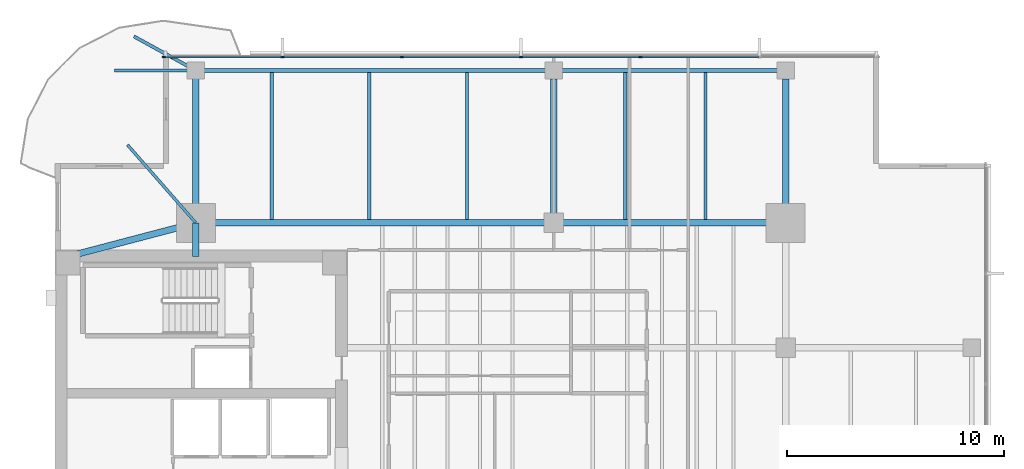
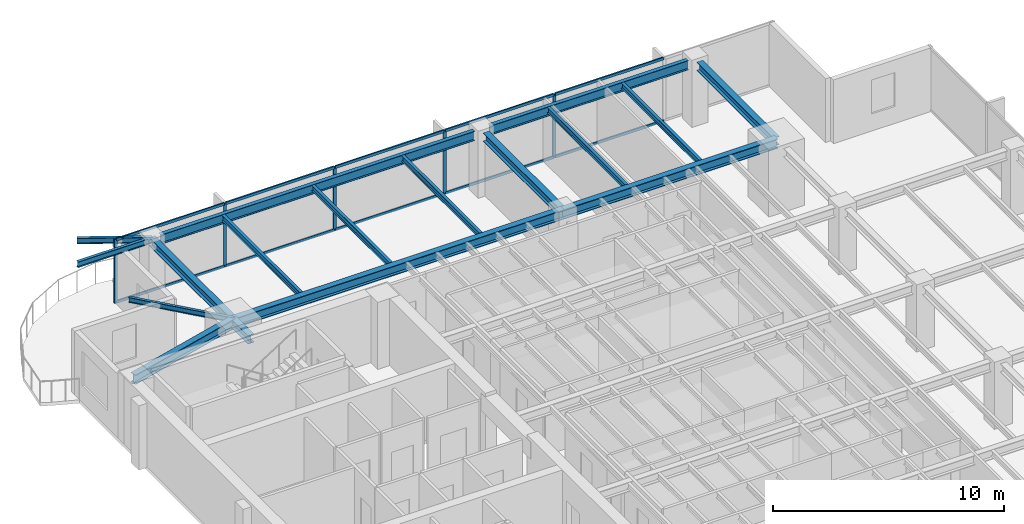
# One storey, part 5 of 15: 17 beams, 15 members, 1 element without a shape of its own.
"""IFC4 building model written with IfcOpenShell, lengths in metres."""

from ifc_helpers import new_model, si_unit, direction, frame, origin, origin_2d, place, context, subcontext, project, spatial, rectangle, i_section, extrude, material, layer, layer_set, material_profile, profile_set, type_object, element, aggregate, save


model = new_model("IFC4")

# Units and contexts
model_context = context("Model", 3, precision=1e-05, world=origin(), true_north=direction((0.0, 1.0)))
body_context = subcontext(model_context, "Body", "Model", "MODEL_VIEW")
ifc_project = project(units=[si_unit("LENGTHUNIT", "METRE"), si_unit("AREAUNIT", "SQUARE_METRE"), si_unit("VOLUMEUNIT", "CUBIC_METRE"), si_unit("PLANEANGLEUNIT", "RADIAN"), si_unit("MASSUNIT", "GRAM", prefix="KILO")], contexts=[model_context])

# Site, building, storey
site_placement = place(None, origin())
site = spatial("IfcSite", under=ifc_project, at=site_placement, CompositionType="ELEMENT")
building_placement = place(site_placement, origin())
building = spatial("IfcBuilding", under=site, at=building_placement, Name="Kinhvarn Gate Tower", CompositionType="ELEMENT")
storey_placement = place(building_placement, frame((0.0, 0.0, 220.0)))
storey = spatial("IfcBuildingStorey", under=building, at=storey_placement, Name="L58", CompositionType="ELEMENT", Elevation=220.0)

# Curtain wall, members
ifc_material_1 = material(Name="Anodised aluminium AW-6063", Category="aluminium")
ifc_layer = layer(ifc_material_1, 0.179931640625)
ifc_layer_set = layer_set([ifc_layer], Name="Anodised aluminium AW-6063")
curtain_wall_type = type_object("IfcCurtainWallType", Name="CW-SYS-3", PredefinedType="NOTDEFINED", material=ifc_layer_set)
curtain_wall_placement = place(storey_placement, origin())
curtain_wall = element("IfcCurtainWall", 1, at=curtain_wall_placement, inside=storey, type_object=curtain_wall_type, Name="Curtain Wall CW3 (L58)", PredefinedType="NOTDEFINED")
ifc_material_profile_1 = material_profile(ifc_material_1, rectangle(XDim=0.06494140625, YDim=0.159912109375, at=origin_2d()), Name="ALU 65x160")
ifc_profile_set_1 = profile_set([ifc_material_profile_1], Name="Anodised aluminium AW-6063")
member_type_1 = type_object("IfcMemberType", Name="CW-MUL-160", PredefinedType="MULLION", material=ifc_profile_set_1)
member_1_placement = place(storey_placement, frame((31.5, 45.409912109375, 0.0), z_axis=(0.0, 0.0, 1.0), x_axis=(0.0, -1.0, 0.0)))
member_1 = element("IfcMember", 2, at=member_1_placement, type_object=member_type_1, Name="CW3 mullion 3", PredefinedType="MULLION", context=body_context, shape_type="SweptSolid", body=[
    extrude(rectangle(XDim=0.06494140625, YDim=0.159912109375, at=origin_2d()), origin(), (0.0, 0.0, 1.0), 3.3701171875),
])
member_2_placement = place(storey_placement, frame((26.0, 45.409912109375, 0.0), z_axis=(0.0, 0.0, 1.0), x_axis=(0.0, -1.0, 0.0)))
member_2 = element("IfcMember", 3, at=member_2_placement, type_object=member_type_1, Name="CW3 mullion 4", PredefinedType="MULLION", context=body_context, shape_type="SweptSolid", body=[
    extrude(rectangle(XDim=0.06494140625, YDim=0.159912109375, at=origin_2d()), origin(), (0.0, 0.0, 1.0), 3.3701171875),
])
member_3_placement = place(storey_placement, frame((20.5, 45.409912109375, 0.0), z_axis=(0.0, 0.0, 1.0), x_axis=(0.0, -1.0, 0.0)))
member_3 = element("IfcMember", 4, at=member_3_placement, type_object=member_type_1, Name="CW3 mullion 5", PredefinedType="MULLION", context=body_context, shape_type="SweptSolid", body=[
    extrude(rectangle(XDim=0.06494140625, YDim=0.159912109375, at=origin_2d()), origin(), (0.0, 0.0, 1.0), 3.3701171875),
])
member_4_placement = place(storey_placement, frame((15.0, 45.409912109375, 0.0), z_axis=(0.0, 0.0, 1.0), x_axis=(0.0, -1.0, 0.0)))
member_4 = element("IfcMember", 5, at=member_4_placement, type_object=member_type_1, Name="CW3 mullion 6", PredefinedType="MULLION", context=body_context, shape_type="SweptSolid", body=[
    extrude(rectangle(XDim=0.06494140625, YDim=0.159912109375, at=origin_2d()), origin(), (0.0, 0.0, 1.0), 3.3701171875),
])
member_5_placement = place(storey_placement, frame((9.532470703125, 45.409912109375, 0.0), z_axis=(0.0, 0.0, 1.0), x_axis=(0.0, -1.0, 0.0)))
member_5 = element("IfcMember", 6, at=member_5_placement, type_object=member_type_1, Name="CW3 mullion 7", PredefinedType="MULLION", context=body_context, shape_type="SweptSolid", body=[
    extrude(rectangle(XDim=0.06494140625, YDim=0.159912109375, at=origin_2d()), origin(), (0.0, 0.0, 1.0), 3.3701171875),
])
ifc_material_profile_2 = material_profile(ifc_material_1, rectangle(XDim=0.070068359375, YDim=0.139892578125, at=origin_2d()), Name="ALU 70x140")
ifc_profile_set_2 = profile_set([ifc_material_profile_2], Name="Anodised aluminium AW-6063")
member_type_2 = type_object("IfcMemberType", Name="CW-TRN-140", PredefinedType="USERDEFINED", material=ifc_profile_set_2)
member_6_placement = place(storey_placement, frame((36.967529296875, 45.409912109375, 0.034912109375), z_axis=(-1.0, 0.0, 0.0), x_axis=(0.0, -1.0, 0.0)))
member_6 = element("IfcMember", 7, at=member_6_placement, type_object=member_type_2, Name="CW3 transom 2.1", ObjectType="TRANSOM", PredefinedType="USERDEFINED", context=body_context, shape_type="SweptSolid", body=[
    extrude(rectangle(XDim=0.070068359375, YDim=0.139892578125, at=origin_2d()), origin(), (0.0, 0.0, 1.0), 5.43505859375),
])
member_7_placement = place(storey_placement, frame((36.967529296875, 45.409912109375, 3.3349609375), z_axis=(-1.0, 0.0, 0.0), x_axis=(0.0, -1.0, 0.0)))
member_7 = element("IfcMember", 8, at=member_7_placement, type_object=member_type_2, Name="CW3 transom 2.2", ObjectType="TRANSOM", PredefinedType="USERDEFINED", context=body_context, shape_type="SweptSolid", body=[
    extrude(rectangle(XDim=0.070068359375, YDim=0.139892578125, at=origin_2d()), origin(), (0.0, 0.0, 1.0), 5.43505859375),
])
member_8_placement = place(storey_placement, frame((31.467529296875, 45.409912109375, 0.034912109375), z_axis=(-1.0, 0.0, 0.0), x_axis=(0.0, -1.0, 0.0)))
member_8 = element("IfcMember", 9, at=member_8_placement, type_object=member_type_2, Name="CW3 transom 3.1", ObjectType="TRANSOM", PredefinedType="USERDEFINED", context=body_context, shape_type="SweptSolid", body=[
    extrude(rectangle(XDim=0.070068359375, YDim=0.139892578125, at=origin_2d()), origin(), (0.0, 0.0, 1.0), 5.43505859375),
])
member_9_placement = place(storey_placement, frame((31.467529296875, 45.409912109375, 3.3349609375), z_axis=(-1.0, 0.0, 0.0), x_axis=(0.0, -1.0, 0.0)))
member_9 = element("IfcMember", 10, at=member_9_placement, type_object=member_type_2, Name="CW3 transom 3.2", ObjectType="TRANSOM", PredefinedType="USERDEFINED", context=body_context, shape_type="SweptSolid", body=[
    extrude(rectangle(XDim=0.070068359375, YDim=0.139892578125, at=origin_2d()), origin(), (0.0, 0.0, 1.0), 5.43505859375),
])
member_10_placement = place(storey_placement, frame((25.967529296875, 45.409912109375, 0.034912109375), z_axis=(-1.0, 0.0, 0.0), x_axis=(0.0, -1.0, 0.0)))
member_10 = element("IfcMember", 11, at=member_10_placement, type_object=member_type_2, Name="CW3 transom 4.1", ObjectType="TRANSOM", PredefinedType="USERDEFINED", context=body_context, shape_type="SweptSolid", body=[
    extrude(rectangle(XDim=0.070068359375, YDim=0.139892578125, at=origin_2d()), origin(), (0.0, 0.0, 1.0), 5.43505859375),
])
member_11_placement = place(storey_placement, frame((25.967529296875, 45.409912109375, 3.3349609375), z_axis=(-1.0, 0.0, 0.0), x_axis=(0.0, -1.0, 0.0)))
member_11 = element("IfcMember", 12, at=member_11_placement, type_object=member_type_2, Name="CW3 transom 4.2", ObjectType="TRANSOM", PredefinedType="USERDEFINED", context=body_context, shape_type="SweptSolid", body=[
    extrude(rectangle(XDim=0.070068359375, YDim=0.139892578125, at=origin_2d()), origin(), (0.0, 0.0, 1.0), 5.43505859375),
])
member_12_placement = place(storey_placement, frame((20.467529296875, 45.409912109375, 0.034912109375), z_axis=(-1.0, 0.0, 0.0), x_axis=(0.0, -1.0, 0.0)))
member_12 = element("IfcMember", 13, at=member_12_placement, type_object=member_type_2, Name="CW3 transom 5.1", ObjectType="TRANSOM", PredefinedType="USERDEFINED", context=body_context, shape_type="SweptSolid", body=[
    extrude(rectangle(XDim=0.070068359375, YDim=0.139892578125, at=origin_2d()), origin(), (0.0, 0.0, 1.0), 5.43505859375),
])
member_13_placement = place(storey_placement, frame((20.467529296875, 45.409912109375, 3.3349609375), z_axis=(-1.0, 0.0, 0.0), x_axis=(0.0, -1.0, 0.0)))
member_13 = element("IfcMember", 14, at=member_13_placement, type_object=member_type_2, Name="CW3 transom 5.2", ObjectType="TRANSOM", PredefinedType="USERDEFINED", context=body_context, shape_type="SweptSolid", body=[
    extrude(rectangle(XDim=0.070068359375, YDim=0.139892578125, at=origin_2d()), origin(), (0.0, 0.0, 1.0), 5.43505859375),
])
member_14_placement = place(storey_placement, frame((14.967529296875, 45.409912109375, 0.034912109375), z_axis=(-1.0, 0.0, 0.0), x_axis=(0.0, -1.0, 0.0)))
member_14 = element("IfcMember", 15, at=member_14_placement, type_object=member_type_2, Name="CW3 transom 6.1", ObjectType="TRANSOM", PredefinedType="USERDEFINED", context=body_context, shape_type="SweptSolid", body=[
    extrude(rectangle(XDim=0.070068359375, YDim=0.139892578125, at=origin_2d()), origin(), (0.0, 0.0, 1.0), 5.402587890625),
])
member_15_placement = place(storey_placement, frame((14.967529296875, 45.409912109375, 3.3349609375), z_axis=(-1.0, 0.0, 0.0), x_axis=(0.0, -1.0, 0.0)))
member_15 = element("IfcMember", 16, at=member_15_placement, type_object=member_type_2, Name="CW3 transom 6.2", ObjectType="TRANSOM", PredefinedType="USERDEFINED", context=body_context, shape_type="SweptSolid", body=[
    extrude(rectangle(XDim=0.070068359375, YDim=0.139892578125, at=origin_2d()), origin(), (0.0, 0.0, 1.0), 5.402587890625),
])
aggregate(curtain_wall, [member_1, member_2, member_3, member_4, member_5, member_6, member_7, member_8, member_9, member_10, member_11, member_12, member_13, member_14, member_15])

# Beams
ifc_material_2 = material(Name="Steel S355", Category="steel")
ifc_material_profile_3 = material_profile(ifc_material_2, i_section(OverallWidth=0.300048828125, OverallDepth=0.449951171875, WebThickness=0.013916015625, FlangeThickness=0.02587890625, at=origin_2d()), Name="HEB 450")
ifc_profile_set_3 = profile_set([ifc_material_profile_3], Name="Steel S355")
beam_type_1 = type_object("IfcBeamType", Name="STL-HEB450", PredefinedType="BEAM", material=ifc_profile_set_3)
beam_1_placement = place(storey_placement, frame((11.0, 36.199951171875, 3.14501953125), z_axis=(0.0, 1.0, 0.0), x_axis=(-1.0, 0.0, 0.0)))
element("IfcBeam", 17, at=beam_1_placement, inside=storey, type_object=beam_type_1, Name="Floor Beam PG-13 (L58 MCW-CN)", PredefinedType="BEAM", context=body_context, shape_type="SweptSolid", body=[
    extrude(i_section(OverallWidth=0.300048828125, OverallDepth=0.449951171875, WebThickness=0.013916015625, FlangeThickness=0.02587890625, at=origin_2d()), origin(), (0.0, 0.0, 1.0), 1.550048828125),
])
beam_2_placement = place(storey_placement, frame((11.0, 37.75, 3.14501953125), z_axis=(0.0, 1.0, 0.0), x_axis=(-1.0, 0.0, 0.0)))
element("IfcBeam", 18, at=beam_2_placement, inside=storey, type_object=beam_type_1, Name="Floor Beam PG-13 (L58 MCW-N)", PredefinedType="BEAM", context=body_context, shape_type="SweptSolid", body=[
    extrude(i_section(OverallWidth=0.300048828125, OverallDepth=0.449951171875, WebThickness=0.013916015625, FlangeThickness=0.02587890625, at=origin_2d()), origin(), (0.0, 0.0, 1.0), 7.030029296875),
])
for number, where, z_axis, x_axis, name in (
    (19, (27.5, 37.75, 3.14501953125), (0.0, 1.0, 0.0), (-1.0, 0.0, 0.0), "Floor Beam PG-13 (L58 SP27-N-TIE)"),
    (20, (38.199951171875, 37.75, 3.14501953125), (0.0, 1.0, 0.0), (-1.0, 0.0, 0.0), "Floor Beam PG-13 (L58 MCE-N)"),
):
    element("IfcBeam", number, at=place(storey_placement, frame(where, z_axis=z_axis, x_axis=x_axis)), inside=storey, type_object=beam_type_1, Name=name, PredefinedType="BEAM", context=body_context, shape_type="SweptSolid", body=[
        extrude(i_section(OverallWidth=0.300048828125, OverallDepth=0.449951171875, WebThickness=0.013916015625, FlangeThickness=0.02587890625, at=origin_2d()), origin(), (0.0, 0.0, 1.0), 6.64501953125),
    ])
ifc_material_profile_4 = material_profile(ifc_material_2, i_section(OverallWidth=0.300048828125, OverallDepth=0.5, WebThickness=0.014404296875, FlangeThickness=0.028076171875, at=origin_2d()), Name="HEB 500")
ifc_profile_set_4 = profile_set([ifc_material_profile_4], Name="Steel S355")
beam_type_2 = type_object("IfcBeamType", Name="STL-HEB500", PredefinedType="BEAM", material=ifc_profile_set_4)
beam_3_placement = place(storey_placement, frame((11.0, 37.75, 3.1201171875), z_axis=(1.0, 0.0, 0.0), x_axis=(0.0, 1.0, 0.0)))
element("IfcBeam", 21, at=beam_3_placement, inside=storey, type_object=beam_type_2, Name="Floor Beam PG-14 (L58 MG-N1)", PredefinedType="BEAM", context=body_context, shape_type="SweptSolid", body=[
    extrude(i_section(OverallWidth=0.300048828125, OverallDepth=0.5, WebThickness=0.014404296875, FlangeThickness=0.028076171875, at=origin_2d()), origin(), (0.0, 0.0, 1.0), 16.5),
])
beam_4_placement = place(storey_placement, frame((27.5, 37.75, 3.1201171875), z_axis=(1.0, 0.0, 0.0), x_axis=(0.0, 1.0, 0.0)))
element("IfcBeam", 22, at=beam_4_placement, inside=storey, type_object=beam_type_2, Name="Floor Beam PG-14 (L58 MG-N2)", PredefinedType="BEAM", context=body_context, shape_type="SweptSolid", body=[
    extrude(i_section(OverallWidth=0.300048828125, OverallDepth=0.5, WebThickness=0.014404296875, FlangeThickness=0.028076171875, at=origin_2d()), origin(), (0.0, 0.0, 1.0), 10.699951171875),
])
beam_5_placement = place(storey_placement, frame((5.10009765625, 36.199951171875, 3.1201171875), z_axis=(0.967177623957, 0.254101246979, 0.0), x_axis=(-0.254101246979, 0.967177623957, 0.0)))
element("IfcBeam", 23, at=beam_5_placement, inside=storey, type_object=beam_type_2, Name="Floor Beam PG-14 (L58 MG-NW-DIAG)", PredefinedType="BEAM", context=body_context, shape_type="SweptSolid", body=[
    extrude(i_section(OverallWidth=0.300048828125, OverallDepth=0.5, WebThickness=0.014404296875, FlangeThickness=0.028076171875, at=origin_2d()), origin(), (0.0, 0.0, 1.0), 6.10009765625),
])
ifc_material_profile_5 = material_profile(ifc_material_2, i_section(OverallWidth=0.135009765625, OverallDepth=0.27001953125, WebThickness=0.006591796875, FlangeThickness=0.01025390625, at=origin_2d()), Name="IPE 270")
ifc_profile_set_5 = profile_set([ifc_material_profile_5], Name="Steel S355")
beam_type_3 = type_object("IfcBeamType", Name="STL-IPE270", PredefinedType="JOIST", material=ifc_profile_set_5)
beam_6_placement = place(storey_placement, frame((11.0, 37.75, 3.235107421875), z_axis=(-0.658482928045, 0.752595664001, 0.0), x_axis=(-0.752595664001, -0.658482928045, 0.0)))
element("IfcBeam", 24, at=beam_6_placement, inside=storey, type_object=beam_type_3, Name="Floor Joist SB-01 (L58 BAL-B3-L59)", PredefinedType="JOIST", context=body_context, shape_type="SweptSolid", body=[
    extrude(i_section(OverallWidth=0.135009765625, OverallDepth=0.27001953125, WebThickness=0.006591796875, FlangeThickness=0.01025390625, at=origin_2d()), origin(), (0.0, 0.0, 1.0), 4.78369140625),
])
ifc_material_profile_6 = material_profile(ifc_material_2, i_section(OverallWidth=0.14990234375, OverallDepth=0.300048828125, WebThickness=0.007080078125, FlangeThickness=0.0107421875, at=origin_2d()), Name="IPE 300")
ifc_profile_set_6 = profile_set([ifc_material_profile_6], Name="Steel S355")
beam_type_4 = type_object("IfcBeamType", Name="STL-IPE300", PredefinedType="JOIST", material=ifc_profile_set_6)
for number, where, z_axis, x_axis, name in (
    (25, (14.5, 37.89990234375, 3.219970703125), (0.0, 1.0, 0.0), (-1.0, 0.0, 0.0), "Floor Joist SB-02 (L58 JN-X145)"),
    (26, (19.0, 37.89990234375, 3.219970703125), (0.0, 1.0, 0.0), (-1.0, 0.0, 0.0), "Floor Joist SB-02 (L58 JN-X190)"),
    (27, (23.5, 37.89990234375, 3.219970703125), (0.0, 1.0, 0.0), (-1.0, 0.0, 0.0), "Floor Joist SB-02 (L58 JN-X235)"),
    (28, (30.800048828125, 37.89990234375, 3.219970703125), (0.0, 1.0, 0.0), (-1.0, 0.0, 0.0), "Floor Joist SB-02 (L58 JN-X308)"),
    (29, (34.5, 37.89990234375, 3.219970703125), (0.0, 1.0, 0.0), (-1.0, 0.0, 0.0), "Floor Joist SB-02 (L58 JN-X345)"),
):
    element("IfcBeam", number, at=place(storey_placement, frame(where, z_axis=z_axis, x_axis=x_axis)), inside=storey, type_object=beam_type_4, Name=name, PredefinedType="JOIST", context=body_context, shape_type="SweptSolid", body=[
        extrude(i_section(OverallWidth=0.14990234375, OverallDepth=0.300048828125, WebThickness=0.007080078125, FlangeThickness=0.0107421875, at=origin_2d()), origin(), (0.0, 0.0, 1.0), 6.780029296875),
    ])
beam_7_placement = place(storey_placement, frame((11.0, 44.780029296875, 3.219970703125), z_axis=(-1.0, 0.0, 0.0), x_axis=(0.0, -1.0, 0.0)))
element("IfcBeam", 30, at=beam_7_placement, inside=storey, type_object=beam_type_4, Name="Floor Joist SB-02 (L58 BAL-B1-L59)", PredefinedType="JOIST", context=body_context, shape_type="SweptSolid", body=[
    extrude(i_section(OverallWidth=0.14990234375, OverallDepth=0.300048828125, WebThickness=0.007080078125, FlangeThickness=0.0107421875, at=origin_2d()), origin(), (0.0, 0.0, 1.0), 3.75),
])
beam_8_placement = place(storey_placement, frame((11.0, 44.780029296875, 3.219970703125), z_axis=(-0.875889381738, 0.482511959394, 0.0), x_axis=(-0.482511959394, -0.875889381738, 0.0)))
element("IfcBeam", 31, at=beam_8_placement, inside=storey, type_object=beam_type_4, Name="Floor Joist SB-02 (L58 BAL-B2-L59)", PredefinedType="JOIST", context=body_context, shape_type="SweptSolid", body=[
    extrude(i_section(OverallWidth=0.14990234375, OverallDepth=0.300048828125, WebThickness=0.007080078125, FlangeThickness=0.0107421875, at=origin_2d()), origin(), (0.0, 0.0, 1.0), 3.25390625),
])
ifc_material_profile_7 = material_profile(ifc_material_2, i_section(OverallWidth=0.199951171875, OverallDepth=0.5, WebThickness=0.01025390625, FlangeThickness=0.01611328125, at=origin_2d()), Name="IPE 500")
ifc_profile_set_7 = profile_set([ifc_material_profile_7], Name="Steel S355")
beam_type_5 = type_object("IfcBeamType", Name="STL-IPE500", PredefinedType="SPANDREL", material=ifc_profile_set_7)
beam_9_placement = place(storey_placement, frame((11.385009765625, 44.780029296875, 3.1201171875), z_axis=(1.0, 0.0, 0.0), x_axis=(0.0, 1.0, 0.0)))
element("IfcBeam", 32, at=beam_9_placement, inside=storey, type_object=beam_type_5, Name="Floor Spandrel SB-07 (L58 SP-N1)", PredefinedType="SPANDREL", context=body_context, shape_type="SweptSolid", body=[
    extrude(i_section(OverallWidth=0.199951171875, OverallDepth=0.5, WebThickness=0.01025390625, FlangeThickness=0.01611328125, at=origin_2d()), origin(), (0.0, 0.0, 1.0), 15.72998046875),
])
beam_10_placement = place(storey_placement, frame((27.885009765625, 44.780029296875, 3.1201171875), z_axis=(1.0, 0.0, 0.0), x_axis=(0.0, 1.0, 0.0)))
element("IfcBeam", 33, at=beam_10_placement, inside=storey, type_object=beam_type_5, Name="Floor Spandrel SB-07 (L58 SP-N2)", PredefinedType="SPANDREL", context=body_context, shape_type="SweptSolid", body=[
    extrude(i_section(OverallWidth=0.199951171875, OverallDepth=0.5, WebThickness=0.01025390625, FlangeThickness=0.01611328125, at=origin_2d()), origin(), (0.0, 0.0, 1.0), 9.929931640625),
])

save(model, "model.ifc")
